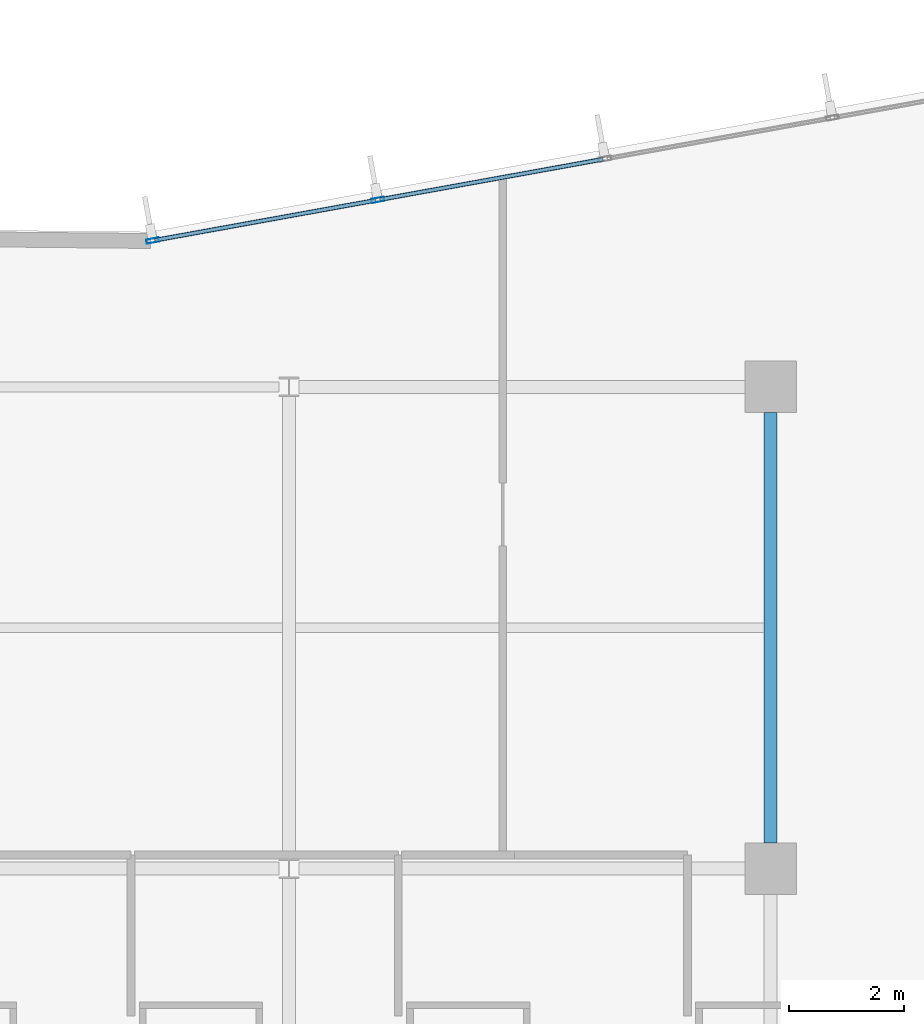
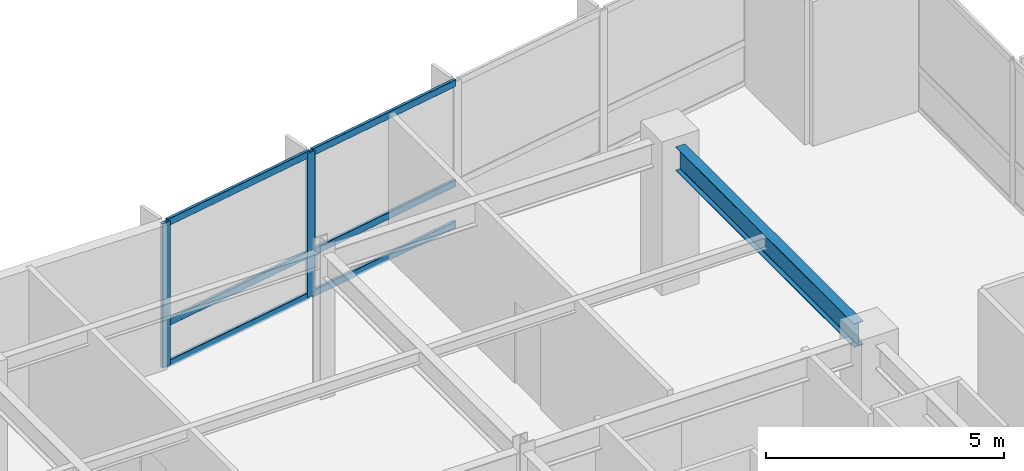
# One storey, part 7 of 21: 8 members, 1 beam, 1 element without a shape of its own.
"""IFC4 building model written with IfcOpenShell, lengths in metres."""

from ifc_helpers import new_model, si_unit, direction, frame, origin, origin_2d, place, context, subcontext, project, spatial, hollow_rectangle, i_section, extrude, material, layer, layer_set, material_profile, profile_set, type_object, element, aggregate, save


model = new_model("IFC4")

# Units and contexts
model_context = context("Model", 3, precision=1e-05, world=origin(), true_north=direction((0.0, 1.0)))
body_context = subcontext(model_context, "Body", "Model", "MODEL_VIEW")
ifc_project = project(units=[si_unit("LENGTHUNIT", "METRE"), si_unit("AREAUNIT", "SQUARE_METRE"), si_unit("VOLUMEUNIT", "CUBIC_METRE"), si_unit("PLANEANGLEUNIT", "RADIAN"), si_unit("MASSUNIT", "GRAM", prefix="KILO")], contexts=[model_context])

# Site, building, storey
site_placement = place(None, origin())
site = spatial("IfcSite", under=ifc_project, at=site_placement, CompositionType="ELEMENT")
building_placement = place(site_placement, origin())
building = spatial("IfcBuilding", under=site, at=building_placement, Name="Varnakote Quay Hospital", CompositionType="ELEMENT")
storey_placement = place(building_placement, frame((0.0, 0.0, 42.25)))
storey = spatial("IfcBuildingStorey", under=building, at=storey_placement, Name="L10", CompositionType="ELEMENT", Elevation=42.25)

# Beam
ifc_material_1 = material(Name="Structural steel AS/NZS 3679.1 Grade 350 L0 (fy 340 MPa)", Category="steel")
ifc_material_profile_1 = material_profile(ifc_material_1, i_section(OverallWidth=0.22900390625, OverallDepth=0.612060546875, WebThickness=0.011962890625, FlangeThickness=0.01953125, FilletRadius=0.013916015625, at=origin_2d()), Name="610UB125")
ifc_profile_set_1 = profile_set([ifc_material_profile_1], Name="Structural steel AS/NZS 3679.1 Grade 350 L0 (fy 340 MPa)")
beam_type = type_object("IfcBeamType", Name="BM-STL-610UB125", PredefinedType="BEAM", material=ifc_profile_set_1)
beam_placement = place(storey_placement, frame((50.39990234375, 20.85009765625, 3.404052734375), z_axis=(0.0, 1.0, 0.0), x_axis=(-1.0, 0.0, 0.0)))
element("IfcBeam", 1, at=beam_placement, inside=storey, type_object=beam_type, Name="L10 Primary Tie Beam", PredefinedType="BEAM", context=body_context, shape_type="SweptSolid", body=[
    extrude(i_section(OverallWidth=0.22900390625, OverallDepth=0.612060546875, WebThickness=0.011962890625, FlangeThickness=0.01953125, FilletRadius=0.013916015625, at=origin_2d()), origin(), (0.0, 0.0, 1.0), 7.5),
])

# Curtain wall, members
ifc_material_2 = material(Name="Anodised aluminium 6063-T6 Bronze", Category="aluminium")
ifc_layer = layer(ifc_material_2, 0.18994140625)
ifc_layer_set = layer_set([ifc_layer], Name="Anodised aluminium 6063-T6 Bronze")
curtain_wall_type = type_object("IfcCurtainWallType", Name="CW-SYS-2", PredefinedType="NOTDEFINED", material=ifc_layer_set)
curtain_wall_placement = place(storey_placement, origin())
curtain_wall = element("IfcCurtainWall", 2, at=curtain_wall_placement, inside=storey, type_object=curtain_wall_type, Name="L10 Unitised Bronze Curtain Wall 2", PredefinedType="NOTDEFINED")
ifc_material_3 = material(Name="Anodised aluminium 6063-T6 Bronze", Category="aluminium")
ifc_material_profile_2 = material_profile(ifc_material_3, hollow_rectangle(XDim=0.074951171875, YDim=0.219970703125, WallThickness=0.00439453125, InnerFilletRadius=0.00439453125, OuterFilletRadius=0.009033203125, at=origin_2d()), Name="CW-MULL-220x75")
ifc_profile_set_2 = profile_set([ifc_material_profile_2], Name="Anodised aluminium 6063-T6 Bronze")
member_type_1 = type_object("IfcMemberType", Name="CW-MULL-220x75", PredefinedType="MULLION", material=ifc_profile_set_2)
member_1_placement = place(storey_placement, frame((43.55224609375, 32.06005859375, 0.0), z_axis=(0.0, 0.0, 1.0), x_axis=(0.177846199098, -0.984058295766, 0.0)))
member_1 = element("IfcMember", 3, at=member_1_placement, type_object=member_type_1, Name="-2-L10-2 mullion 4", PredefinedType="MULLION", context=body_context, shape_type="SweptSolid", body=[
    extrude(hollow_rectangle(XDim=0.074951171875, YDim=0.219970703125, WallThickness=0.00439453125, InnerFilletRadius=0.00439453125, OuterFilletRadius=0.009033203125, at=origin_2d()), origin(), (0.0, 0.0, 1.0), 3.7099609375),
])
member_2_placement = place(storey_placement, frame((39.62646484375, 31.3505859375, 0.0), z_axis=(0.0, 0.0, 1.0), x_axis=(0.177846199098, -0.984058295766, 0.0)))
member_2 = element("IfcMember", 4, at=member_2_placement, type_object=member_type_1, Name="-2-L10-2 mullion 5", PredefinedType="MULLION", context=body_context, shape_type="SweptSolid", body=[
    extrude(hollow_rectangle(XDim=0.074951171875, YDim=0.219970703125, WallThickness=0.00439453125, InnerFilletRadius=0.00439453125, OuterFilletRadius=0.009033203125, at=origin_2d()), origin(), (0.0, 0.0, 1.0), 3.7099609375),
])
ifc_material_4 = material(Name="Anodised aluminium 6063-T6 Bronze", Category="aluminium")
ifc_material_profile_3 = material_profile(ifc_material_4, hollow_rectangle(XDim=0.074951171875, YDim=0.179931640625, WallThickness=0.004150390625, InnerFilletRadius=0.004150390625, OuterFilletRadius=0.00830078125, at=origin_2d()), Name="CW-TRAN-180x75")
ifc_profile_set_3 = profile_set([ifc_material_profile_3], Name="Anodised aluminium 6063-T6 Bronze")
member_type_2 = type_object("IfcMemberType", Name="CW-TRAN-180x75", PredefinedType="USERDEFINED", material=ifc_profile_set_3)
member_3_placement = place(storey_placement, frame((47.477783203125, 32.76953125, 0.03759765625), z_axis=(-0.98405423478, -0.177868667876, 0.0), x_axis=(0.177868667876, -0.98405423478, 0.0)))
member_3 = element("IfcMember", 5, at=member_3_placement, type_object=member_type_2, Name="-2-L10-2 transom 3.1", ObjectType="TRANSOM", PredefinedType="USERDEFINED", context=body_context, shape_type="SweptSolid", body=[
    extrude(hollow_rectangle(XDim=0.074951171875, YDim=0.179931640625, WallThickness=0.004150390625, InnerFilletRadius=0.004150390625, OuterFilletRadius=0.00830078125, at=origin_2d()), origin(), (0.0, 0.0, 1.0), 3.95166015625),
])
member_4_placement = place(storey_placement, frame((47.477783203125, 32.76953125, 1.10009765625), z_axis=(-0.98405423478, -0.177868667876, 0.0), x_axis=(0.177868667876, -0.98405423478, 0.0)))
member_4 = element("IfcMember", 6, at=member_4_placement, type_object=member_type_2, Name="-2-L10-2 transom 3.2", ObjectType="TRANSOM", PredefinedType="USERDEFINED", context=body_context, shape_type="SweptSolid", body=[
    extrude(hollow_rectangle(XDim=0.074951171875, YDim=0.179931640625, WallThickness=0.004150390625, InnerFilletRadius=0.004150390625, OuterFilletRadius=0.00830078125, at=origin_2d()), origin(), (0.0, 0.0, 1.0), 3.95166015625),
])
member_5_placement = place(storey_placement, frame((47.477783203125, 32.76953125, 3.672607421875), z_axis=(-0.98405423478, -0.177868667876, 0.0), x_axis=(0.177868667876, -0.98405423478, 0.0)))
member_5 = element("IfcMember", 7, at=member_5_placement, type_object=member_type_2, Name="-2-L10-2 transom 3.3", ObjectType="TRANSOM", PredefinedType="USERDEFINED", context=body_context, shape_type="SweptSolid", body=[
    extrude(hollow_rectangle(XDim=0.074951171875, YDim=0.179931640625, WallThickness=0.004150390625, InnerFilletRadius=0.004150390625, OuterFilletRadius=0.00830078125, at=origin_2d()), origin(), (0.0, 0.0, 1.0), 3.95166015625),
])
member_6_placement = place(storey_placement, frame((43.515380859375, 32.053466796875, 0.03759765625), z_axis=(-0.984053005206, -0.177875470329, 0.0), x_axis=(0.177875470329, -0.984053005206, 0.0)))
member_6 = element("IfcMember", 8, at=member_6_placement, type_object=member_type_2, Name="-2-L10-2 transom 4.1", ObjectType="TRANSOM", PredefinedType="USERDEFINED", context=body_context, shape_type="SweptSolid", body=[
    extrude(hollow_rectangle(XDim=0.074951171875, YDim=0.179931640625, WallThickness=0.004150390625, InnerFilletRadius=0.004150390625, OuterFilletRadius=0.00830078125, at=origin_2d()), origin(), (0.0, 0.0, 1.0), 3.91455078125),
])
member_7_placement = place(storey_placement, frame((43.515380859375, 32.053466796875, 1.10009765625), z_axis=(-0.984053005206, -0.177875470329, 0.0), x_axis=(0.177875470329, -0.984053005206, 0.0)))
member_7 = element("IfcMember", 9, at=member_7_placement, type_object=member_type_2, Name="-2-L10-2 transom 4.2", ObjectType="TRANSOM", PredefinedType="USERDEFINED", context=body_context, shape_type="SweptSolid", body=[
    extrude(hollow_rectangle(XDim=0.074951171875, YDim=0.179931640625, WallThickness=0.004150390625, InnerFilletRadius=0.004150390625, OuterFilletRadius=0.00830078125, at=origin_2d()), origin(), (0.0, 0.0, 1.0), 3.91455078125),
])
member_8_placement = place(storey_placement, frame((43.515380859375, 32.053466796875, 3.672607421875), z_axis=(-0.984053005206, -0.177875470329, 0.0), x_axis=(0.177875470329, -0.984053005206, 0.0)))
member_8 = element("IfcMember", 10, at=member_8_placement, type_object=member_type_2, Name="-2-L10-2 transom 4.3", ObjectType="TRANSOM", PredefinedType="USERDEFINED", context=body_context, shape_type="SweptSolid", body=[
    extrude(hollow_rectangle(XDim=0.074951171875, YDim=0.179931640625, WallThickness=0.004150390625, InnerFilletRadius=0.004150390625, OuterFilletRadius=0.00830078125, at=origin_2d()), origin(), (0.0, 0.0, 1.0), 3.91455078125),
])
aggregate(curtain_wall, [member_1, member_2, member_3, member_4, member_5, member_6, member_7, member_8])

save(model, "model.ifc")
